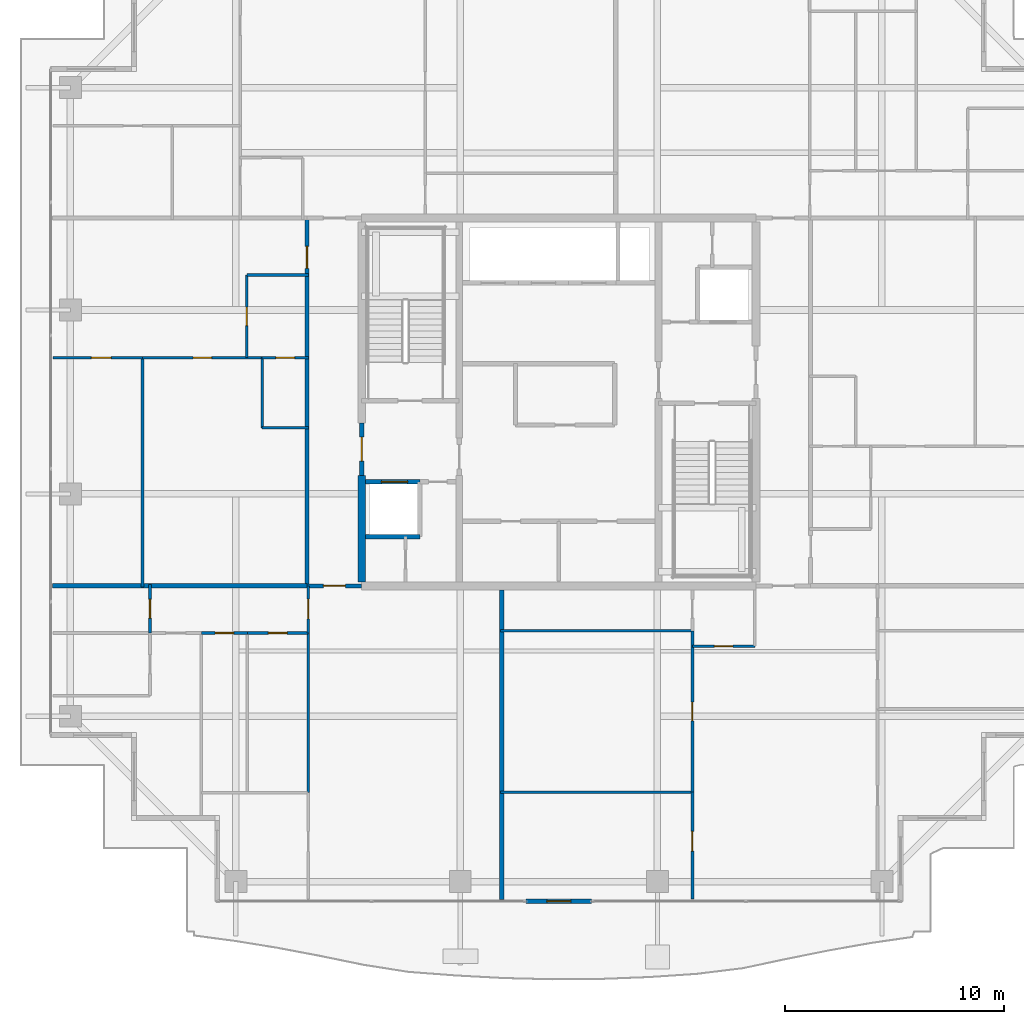
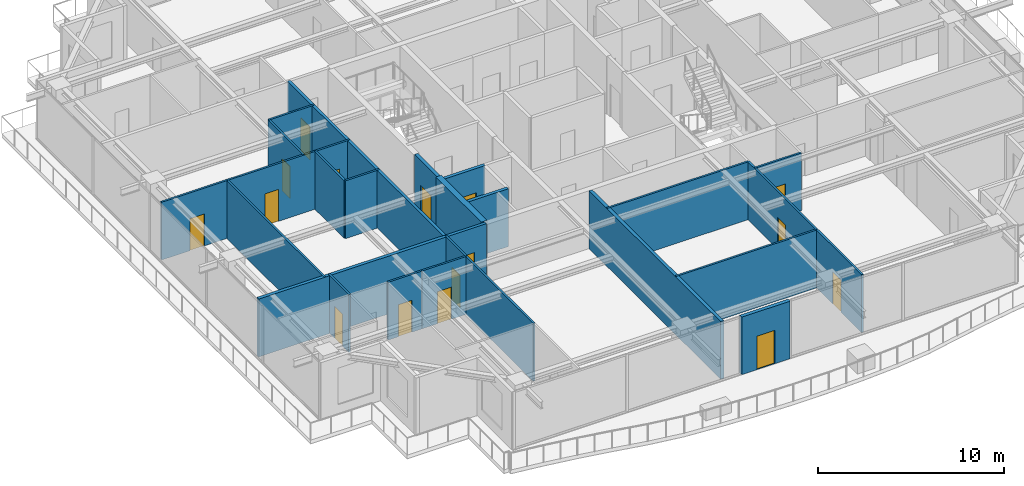
# One storey, part 31 of 42: 27 walls, 16 doors, 16 openings.
"""IFC4 building model written with IfcOpenShell, lengths in metres."""

from ifc_helpers import new_model, si_unit, direction, frame, frame_2d, origin, place, context, subcontext, project, spatial, rectangle, extrude, source, transform, mapped, material, layer, layer_set, type_object, element, fill, save


model = new_model("IFC4")

# Units and contexts
model_context = context("Model", 3, precision=1e-05, world=origin(), true_north=direction((0.0, 1.0)))
body_context = subcontext(model_context, "Body", "Model", "MODEL_VIEW")
ifc_project = project(units=[si_unit("LENGTHUNIT", "METRE"), si_unit("AREAUNIT", "SQUARE_METRE"), si_unit("VOLUMEUNIT", "CUBIC_METRE"), si_unit("PLANEANGLEUNIT", "RADIAN"), si_unit("MASSUNIT", "GRAM", prefix="KILO")], contexts=[model_context])

# Site, building, storey
site_placement = place(None, origin())
site = spatial("IfcSite", under=ifc_project, at=site_placement, CompositionType="ELEMENT")
building_placement = place(site_placement, origin())
building = spatial("IfcBuilding", under=site, at=building_placement, Name="Serunith Strait Residences", CompositionType="ELEMENT")
storey_placement = place(building_placement, frame((0.0, 0.0, 297.5)))
storey = spatial("IfcBuildingStorey", under=building, at=storey_placement, Name="L74", CompositionType="ELEMENT", Elevation=297.5)

# Wall, opening, door
ifc_material_1 = material(Name="Pale-Champagne Aluminium Insulated Panel", Category="aluminium")
ifc_layer_1 = layer(ifc_material_1, 0.219970703125, Name="Pale-Champagne Aluminium Insulated Panel")
ifc_layer_set_1 = layer_set([ifc_layer_1], Name="Pale-Champagne Aluminium Insulated Panel")
wall_type_1 = type_object("IfcWallType", Name="EW-ALUM-220", PredefinedType="ELEMENTEDWALL", material=ifc_layer_set_1)
wall_1_placement = place(storey_placement, frame((30.89990234375, 2.39990234375, 0.0), z_axis=(0.0, 0.0, 1.0), x_axis=(1.0, 0.0, 0.0)))
wall_1 = element("IfcWall", 1, at=wall_1_placement, inside=storey, type_object=wall_type_1, Name="L74 S Facade Pier Wall", PredefinedType="ELEMENTEDWALL", context=body_context, shape_type="SweptSolid", body=[
    extrude(rectangle(XDim=3.0, YDim=0.219970703125, at=frame_2d((1.5, 0.0))), origin(), (0.0, 0.0, 1.0), 3.77490234375),
])
opening_1_placement = place(wall_1_placement, frame((0.949951171875, 0.0, 0.0)))
opening_1 = element("IfcOpeningElement", 2, at=opening_1_placement, cuts=wall_1, Name="Opening ED-03", PredefinedType="OPENING", context=body_context, shape_type="SweptSolid", body=[
    extrude(rectangle(XDim=1.10009765625, YDim=2.199951171875, at=frame_2d((0.550048828125, 1.10009765625))), frame((0.0, 0.1201171875, 0.0), z_axis=(0.0, -1.0, 0.0), x_axis=(1.0, 0.0, 0.0)), (0.0, 0.0, 1.0), 0.239990234375),
])
ifc_material_2 = material(Name="Thermally-Broken Aluminium Glazed Balcony Door", Category="aluminium")
door_type_1 = type_object("IfcDoorType", Name="ED-BALC-1100", OperationType="NOTDEFINED", PredefinedType="DOOR", material=ifc_material_2)
shared_shape_1 = source(origin(), body_context, "Body", "SweptSolid", [
    extrude(rectangle(XDim=1.10009765625, YDim=2.199951171875, at=frame_2d((0.550048828125, 1.10009765625))), frame((0.0, 0.02490234375, 0.0), z_axis=(0.0, -1.0, 0.0), x_axis=(1.0, 0.0, 0.0)), (0.0, 0.0, 1.0), 0.050048828125),
])
door_1_placement = place(opening_1_placement, origin())
door_1 = element("IfcDoor", 3, at=door_1_placement, inside=storey, type_object=door_type_1, Name="L74 S Vertical-Forest Balcony Door", OperationType="SINGLE_SWING_LEFT", OverallHeight=2.199951171875, OverallWidth=1.10009765625, PredefinedType="DOOR", context=body_context, shape_type="MappedRepresentation", body=[
    mapped(shared_shape_1, transform((0.0, 0.0, 0.0), scale=1.0)),
])
fill(opening_1, door_1)

ifc_material_3 = material(Name="Fire-rated acoustic gypsum partition")
ifc_layer_2 = layer(ifc_material_3, 0.179931640625, Name="Fire-rated acoustic gypsum partition")
ifc_layer_set_2 = layer_set([ifc_layer_2], Name="Fire-rated acoustic gypsum partition")
wall_type_2 = type_object("IfcWallType", Name="IW-CORR-180", PredefinedType="PARTITIONING", material=ifc_layer_set_2)
wall_2_placement = place(storey_placement, frame((20.902099609375, 16.800048828125, 0.0), z_axis=(0.0, 0.0, 1.0), x_axis=(1.0, 0.0, 0.0)))
wall_2 = element("IfcWall", 4, at=wall_2_placement, inside=storey, type_object=wall_type_2, Name="L74 Partition Wall 026", PredefinedType="PARTITIONING", context=body_context, shape_type="SweptSolid", body=[
    extrude(rectangle(XDim=2.495849609375, YDim=0.179931640625, at=frame_2d((1.248046875, 0.0))), origin(), (0.0, 0.0, 1.0), 3.7900390625),
])
opening_2_placement = place(wall_2_placement, frame((0.748046875, 0.0, 0.0)))
opening_2 = element("IfcOpeningElement", 5, at=opening_2_placement, cuts=wall_2, Name="Opening D-APT1000", PredefinedType="OPENING", context=body_context, shape_type="SweptSolid", body=[
    extrude(rectangle(XDim=1.0, YDim=2.14990234375, at=frame_2d((0.5, 1.074951171875))), frame((0.0, 0.10009765625, 0.0), z_axis=(0.0, -1.0, 0.0), x_axis=(1.0, 0.0, 0.0)), (0.0, 0.0, 1.0), 0.199951171875),
])
ifc_material_4 = material(Name="Solid timber engineered fire door", Category="wood")
door_type_2 = type_object("IfcDoorType", Name="ID-APT-1000", OperationType="NOTDEFINED", PredefinedType="DOOR", material=ifc_material_4)
shared_shape_2 = source(origin(), body_context, "Body", "SweptSolid", [
    extrude(rectangle(XDim=1.0, YDim=2.14990234375, at=frame_2d((0.5, 1.074951171875))), frame((0.0, 0.02490234375, 0.0), z_axis=(0.0, -1.0, 0.0), x_axis=(1.0, 0.0, 0.0)), (0.0, 0.0, 1.0), 0.050048828125),
])
door_2_placement = place(opening_2_placement, origin())
door_2 = element("IfcDoor", 6, at=door_2_placement, inside=storey, type_object=door_type_2, Name="L74 Unit 01 Entrance Door", OperationType="SINGLE_SWING_RIGHT", OverallHeight=2.14990234375, OverallWidth=1.0, PredefinedType="DOOR", context=body_context, shape_type="MappedRepresentation", body=[
    mapped(shared_shape_2, transform((0.0, 0.0, 0.0), scale=1.0)),
])
fill(opening_2, door_2)

wall_3_placement = place(storey_placement, frame((20.89990234375, 16.800048828125, 0.0), z_axis=(0.0, 0.0, 1.0), x_axis=(0.0, 1.0, 0.0)))
wall_3 = element("IfcWall", 7, at=wall_3_placement, inside=storey, type_object=wall_type_2, Name="L74 Partition Wall 028", PredefinedType="PARTITIONING", context=body_context, shape_type="SweptSolid", body=[
    extrude(rectangle(XDim=16.800048828125, YDim=0.179931640625, at=frame_2d((8.39990234375, 0.0))), origin(), (0.0, 0.0, 1.0), 3.7900390625),
])
opening_3_placement = place(wall_3_placement, frame((14.5, 0.0, 0.0)))
opening_3 = element("IfcOpeningElement", 8, at=opening_3_placement, cuts=wall_3, Name="Opening D-APT1000", PredefinedType="OPENING", context=body_context, shape_type="SweptSolid", body=[
    extrude(rectangle(XDim=1.0, YDim=2.14990234375, at=frame_2d((0.5, 1.074951171875))), frame((0.0, 0.10009765625, 0.0), z_axis=(0.0, -1.0, 0.0), x_axis=(1.0, 0.0, 0.0)), (0.0, 0.0, 1.0), 0.199951171875),
])
door_3_placement = place(opening_3_placement, origin())
door_3 = element("IfcDoor", 9, at=door_3_placement, inside=storey, type_object=door_type_2, Name="L74 Unit 05 Entrance Door", OperationType="SINGLE_SWING_RIGHT", OverallHeight=2.14990234375, OverallWidth=1.0, PredefinedType="DOOR", context=body_context, shape_type="MappedRepresentation", body=[
    mapped(shared_shape_2, transform((0.0, 0.0, 0.0), scale=1.0)),
])
fill(opening_3, door_3)

ifc_material_5 = material(Name="Lightweight steel-stud gypsum partition", Category="steel")
ifc_layer_3 = layer(ifc_material_5, 0.1201171875, Name="Lightweight steel-stud gypsum partition")
ifc_layer_set_3 = layer_set([ifc_layer_3], Name="Lightweight steel-stud gypsum partition")
wall_type_3 = type_object("IfcWallType", Name="IW-PART-120", PredefinedType="PARTITIONING", material=ifc_layer_set_3)
wall_4_placement = place(storey_placement, frame((20.949951171875, 14.64990234375, 0.0), z_axis=(0.0, 0.0, 1.0), x_axis=(0.0, 1.0, 0.0)))
wall_4 = element("IfcWall", 10, at=wall_4_placement, inside=storey, type_object=wall_type_3, Name="L74 Partition Wall 032", PredefinedType="PARTITIONING", context=body_context, shape_type="SweptSolid", body=[
    extrude(rectangle(XDim=2.148193359375, YDim=0.1201171875, at=frame_2d((1.07421875, 0.0))), origin(), (0.0, 0.0, 1.0), 3.7900390625),
])
opening_4_placement = place(wall_4_placement, frame((0.64208984375, 0.0, 0.0)))
opening_4 = element("IfcOpeningElement", 11, at=opening_4_placement, cuts=wall_4, Name="Opening D-RM900", PredefinedType="OPENING", context=body_context, shape_type="SweptSolid", body=[
    extrude(rectangle(XDim=0.89990234375, YDim=2.10009765625, at=frame_2d((0.449951171875, 1.050048828125))), frame((0.0, 0.070068359375, 0.0), z_axis=(0.0, -1.0, 0.0), x_axis=(1.0, 0.0, 0.0)), (0.0, 0.0, 1.0), 0.14013671875),
])
ifc_material_6 = material(Name="Engineered timber flush bedroom door", Category="wood")
door_type_3 = type_object("IfcDoorType", Name="ID-ROOM-900", OperationType="NOTDEFINED", PredefinedType="DOOR", material=ifc_material_6)
shared_shape_3 = source(origin(), body_context, "Body", "SweptSolid", [
    extrude(rectangle(XDim=0.89990234375, YDim=2.10009765625, at=frame_2d((0.449951171875, 1.050048828125))), frame((0.0, 0.02490234375, 0.0), z_axis=(0.0, -1.0, 0.0), x_axis=(1.0, 0.0, 0.0)), (0.0, 0.0, 1.0), 0.050048828125),
])
door_4_placement = place(opening_4_placement, origin())
door_4 = element("IfcDoor", 12, at=door_4_placement, inside=storey, type_object=door_type_3, Name="L74 Hall W 7401 Door", OperationType="SINGLE_SWING_RIGHT", OverallHeight=2.10009765625, OverallWidth=0.89990234375, PredefinedType="DOOR", context=body_context, shape_type="MappedRepresentation", body=[
    mapped(shared_shape_3, transform((0.0, 0.0, 0.0), scale=1.0)),
])
fill(opening_4, door_4)

# Wall
wall_5_placement = place(storey_placement, frame((20.949951171875, 7.364990234375, 0.0), z_axis=(0.0, 0.0, 1.0), x_axis=(0.0, 1.0, 0.0)))
element("IfcWall", 13, at=wall_5_placement, inside=storey, type_object=wall_type_3, Name="L74 Partition Wall 034", PredefinedType="PARTITIONING", context=body_context, shape_type="SweptSolid", body=[
    extrude(rectangle(XDim=7.282958984375, YDim=0.1201171875, at=frame_2d((3.6416015625, 0.0))), origin(), (0.0, 0.0, 1.0), 3.7900390625),
])

# Wall, opening, door
wall_6_placement = place(storey_placement, frame((16.080078125, 14.64990234375, 0.0), z_axis=(0.0, 0.0, 1.0), x_axis=(1.0, 0.0, 0.0)))
wall_6 = element("IfcWall", 14, at=wall_6_placement, inside=storey, type_object=wall_type_3, Name="L74 Partition Wall 038", PredefinedType="PARTITIONING", context=body_context, shape_type="SweptSolid", body=[
    extrude(rectangle(XDim=2.099853515625, YDim=0.1201171875, at=frame_2d((1.0498046875, 0.0))), origin(), (0.0, 0.0, 1.0), 3.7900390625),
])
opening_5_placement = place(wall_6_placement, frame((0.625, 0.0, 0.0)))
opening_5 = element("IfcOpeningElement", 15, at=opening_5_placement, cuts=wall_6, Name="Opening D-BTH850", PredefinedType="OPENING", context=body_context, shape_type="SweptSolid", body=[
    extrude(rectangle(XDim=0.85009765625, YDim=2.10009765625, at=frame_2d((0.425048828125, 1.050048828125))), frame((0.0, 0.070068359375, 0.0), z_axis=(0.0, -1.0, 0.0), x_axis=(1.0, 0.0, 0.0)), (0.0, 0.0, 1.0), 0.14013671875),
])
ifc_material_7 = material(Name="Moisture-resistant timber bathroom door", Category="wood")
door_type_4 = type_object("IfcDoorType", Name="ID-BATH-850", OperationType="NOTDEFINED", PredefinedType="DOOR", material=ifc_material_7)
shared_shape_4 = source(origin(), body_context, "Body", "SweptSolid", [
    extrude(rectangle(XDim=0.85009765625, YDim=2.10009765625, at=frame_2d((0.425048828125, 1.050048828125))), frame((0.0, 0.02490234375, 0.0), z_axis=(0.0, -1.0, 0.0), x_axis=(1.0, 0.0, 0.0)), (0.0, 0.0, 1.0), 0.050048828125),
])
door_5_placement = place(opening_5_placement, origin())
door_5 = element("IfcDoor", 16, at=door_5_placement, inside=storey, type_object=door_type_4, Name="L74 Bathroom 7401 Door", OperationType="SINGLE_SWING_RIGHT", OverallHeight=2.10009765625, OverallWidth=0.85009765625, PredefinedType="DOOR", context=body_context, shape_type="MappedRepresentation", body=[
    mapped(shared_shape_4, transform((0.0, 0.0, 0.0), scale=1.0)),
])
fill(opening_5, door_5)

wall_7_placement = place(storey_placement, frame((18.181884765625, 14.64990234375, 0.0), z_axis=(0.0, 0.0, 1.0), x_axis=(1.0, 0.0, 0.0)))
wall_7 = element("IfcWall", 17, at=wall_7_placement, inside=storey, type_object=wall_type_3, Name="L74 Partition Wall 039", PredefinedType="PARTITIONING", context=body_context, shape_type="SweptSolid", body=[
    extrude(rectangle(XDim=2.76806640625, YDim=0.1201171875, at=frame_2d((1.384033203125, 0.0))), origin(), (0.0, 0.0, 1.0), 3.7900390625),
])
opening_6_placement = place(wall_7_placement, frame((0.958984375, 0.0, 0.0)))
opening_6 = element("IfcOpeningElement", 18, at=opening_6_placement, cuts=wall_7, Name="Opening D-RM850", PredefinedType="OPENING", context=body_context, shape_type="SweptSolid", body=[
    extrude(rectangle(XDim=0.85009765625, YDim=2.10009765625, at=frame_2d((0.425048828125, 1.050048828125))), frame((0.0, 0.070068359375, 0.0), z_axis=(0.0, -1.0, 0.0), x_axis=(1.0, 0.0, 0.0)), (0.0, 0.0, 1.0), 0.14013671875),
])
ifc_material_8 = material(Name="Engineered timber flush study and kitchen door", Category="wood")
door_type_5 = type_object("IfcDoorType", Name="ID-ROOM-850", OperationType="NOTDEFINED", PredefinedType="DOOR", material=ifc_material_8)
door_6_placement = place(opening_6_placement, origin())
door_6 = element("IfcDoor", 19, at=door_6_placement, inside=storey, type_object=door_type_5, Name="L74 Kitchen 7401 Door", OperationType="SINGLE_SWING_LEFT", OverallHeight=2.10009765625, OverallWidth=0.85009765625, PredefinedType="DOOR", context=body_context, shape_type="MappedRepresentation", body=[
    mapped(shared_shape_4, transform((0.0, 0.0, 0.0), scale=1.0)),
])
fill(opening_6, door_6)

wall_8_placement = place(storey_placement, frame((13.72998046875, 14.652099609375, 0.0), z_axis=(0.0, 0.0, 1.0), x_axis=(0.0, 1.0, 0.0)))
wall_8 = element("IfcWall", 20, at=wall_8_placement, inside=storey, type_object=wall_type_3, Name="L74 Partition Wall 044", PredefinedType="PARTITIONING", context=body_context, shape_type="SweptSolid", body=[
    extrude(rectangle(XDim=2.2080078125, YDim=0.1201171875, at=frame_2d((1.10400390625, 0.0))), origin(), (0.0, 0.0, 1.0), 3.7900390625),
])
opening_7_placement = place(wall_8_placement, frame((0.678955078125, 0.0, 0.0)))
opening_7 = element("IfcOpeningElement", 21, at=opening_7_placement, cuts=wall_8, Name="Opening D-RM850", PredefinedType="OPENING", context=body_context, shape_type="SweptSolid", body=[
    extrude(rectangle(XDim=0.85009765625, YDim=2.10009765625, at=frame_2d((0.425048828125, 1.050048828125))), frame((0.0, 0.070068359375, 0.0), z_axis=(0.0, -1.0, 0.0), x_axis=(1.0, 0.0, 0.0)), (0.0, 0.0, 1.0), 0.14013671875),
])
door_7_placement = place(opening_7_placement, origin())
door_7 = element("IfcDoor", 22, at=door_7_placement, inside=storey, type_object=door_type_5, Name="L74 Wardrobe W 7401 Door", OperationType="SINGLE_SWING_RIGHT", OverallHeight=2.10009765625, OverallWidth=0.85009765625, PredefinedType="DOOR", context=body_context, shape_type="MappedRepresentation", body=[
    mapped(shared_shape_4, transform((0.0, 0.0, 0.0), scale=1.0)),
])
fill(opening_7, door_7)

wall_9_placement = place(storey_placement, frame((38.5, 14.050048828125, 0.0), z_axis=(0.0, 0.0, 1.0), x_axis=(1.0, 0.0, 0.0)))
wall_9 = element("IfcWall", 23, at=wall_9_placement, inside=storey, type_object=wall_type_3, Name="L74 Partition Wall 045", PredefinedType="PARTITIONING", context=body_context, shape_type="SweptSolid", body=[
    extrude(rectangle(XDim=2.85009765625, YDim=0.1201171875, at=frame_2d((1.425048828125, 0.0))), origin(), (0.0, 0.0, 1.0), 3.7900390625),
])
opening_8_placement = place(wall_9_placement, frame((1.0, 0.0, 0.0)))
opening_8 = element("IfcOpeningElement", 24, at=opening_8_placement, cuts=wall_9, Name="Opening D-RM850", PredefinedType="OPENING", context=body_context, shape_type="SweptSolid", body=[
    extrude(rectangle(XDim=0.85009765625, YDim=2.10009765625, at=frame_2d((0.425048828125, 1.050048828125))), frame((0.0, 0.070068359375, 0.0), z_axis=(0.0, -1.0, 0.0), x_axis=(1.0, 0.0, 0.0)), (0.0, 0.0, 1.0), 0.14013671875),
])
door_8_placement = place(opening_8_placement, origin())
door_8 = element("IfcDoor", 25, at=door_8_placement, inside=storey, type_object=door_type_5, Name="L74 Kitchen 7402 Door", OperationType="SINGLE_SWING_LEFT", OverallHeight=2.10009765625, OverallWidth=0.85009765625, PredefinedType="DOOR", context=body_context, shape_type="MappedRepresentation", body=[
    mapped(shared_shape_4, transform((0.0, 0.0, 0.0), scale=1.0)),
])
fill(opening_8, door_8)

wall_10_placement = place(storey_placement, frame((38.5, 2.4951171875, 0.0), z_axis=(0.0, 0.0, 1.0), x_axis=(0.0, 1.0, 0.0)))
wall_10 = element("IfcWall", 26, at=wall_10_placement, inside=storey, type_object=wall_type_3, Name="L74 Partition Wall 047", PredefinedType="PARTITIONING", context=body_context, shape_type="SweptSolid", body=[
    extrude(rectangle(XDim=4.890869140625, YDim=0.1201171875, at=frame_2d((2.4453125, 0.0))), origin(), (0.0, 0.0, 1.0), 3.7900390625),
])
opening_9_placement = place(wall_10_placement, frame((2.195068359375, 0.0, 0.0)))
opening_9 = element("IfcOpeningElement", 27, at=opening_9_placement, cuts=wall_10, Name="Opening D-RM900", PredefinedType="OPENING", context=body_context, shape_type="SweptSolid", body=[
    extrude(rectangle(XDim=0.89990234375, YDim=2.10009765625, at=frame_2d((0.449951171875, 1.050048828125))), frame((0.0, 0.070068359375, 0.0), z_axis=(0.0, -1.0, 0.0), x_axis=(1.0, 0.0, 0.0)), (0.0, 0.0, 1.0), 0.14013671875),
])
door_9_placement = place(opening_9_placement, origin())
door_9 = element("IfcDoor", 28, at=door_9_placement, inside=storey, type_object=door_type_3, Name="L74 Master Bedroom 1 7402 Door", OperationType="SINGLE_SWING_RIGHT", OverallHeight=2.10009765625, OverallWidth=0.89990234375, PredefinedType="DOOR", context=body_context, shape_type="MappedRepresentation", body=[
    mapped(shared_shape_3, transform((0.0, 0.0, 0.0), scale=1.0)),
])
fill(opening_9, door_9)

# Walls
for number, where, z_axis, x_axis, name in (
    (29, (29.739990234375, 7.385986328125, 0.0), (0.0, 0.0, 1.0), (1.0, 0.0, 0.0), "L74 Partition Wall 048"),
    (30, (29.739990234375, 14.75, 0.0), (0.0, 0.0, 1.0), (1.0, 0.0, 0.0), "L74 Partition Wall 049"),
):
    element("IfcWall", number, at=place(storey_placement, frame(where, z_axis=z_axis, x_axis=x_axis)), inside=storey, type_object=wall_type_3, Name=name, PredefinedType="PARTITIONING", context=body_context, shape_type="SweptSolid", body=[
        extrude(rectangle(XDim=8.760009765625, YDim=0.1201171875, at=frame_2d((4.3798828125, 0.0))), origin(), (0.0, 0.0, 1.0), 3.7900390625),
    ])

# Wall, opening, door
wall_11_placement = place(storey_placement, frame((38.5, 7.387939453125, 0.0), z_axis=(0.0, 0.0, 1.0), x_axis=(0.0, 1.0, 0.0)))
wall_11 = element("IfcWall", 31, at=wall_11_placement, inside=storey, type_object=wall_type_3, Name="L74 Partition Wall 050", PredefinedType="PARTITIONING", context=body_context, shape_type="SweptSolid", body=[
    extrude(rectangle(XDim=7.362060546875, YDim=0.1201171875, at=frame_2d((3.68115234375, 0.0))), origin(), (0.0, 0.0, 1.0), 3.7900390625),
])
opening_10_placement = place(wall_11_placement, frame((3.256103515625, 0.0, 0.0)))
opening_10 = element("IfcOpeningElement", 32, at=opening_10_placement, cuts=wall_11, Name="Opening D-RM850", PredefinedType="OPENING", context=body_context, shape_type="SweptSolid", body=[
    extrude(rectangle(XDim=0.85009765625, YDim=2.10009765625, at=frame_2d((0.425048828125, 1.050048828125))), frame((0.0, 0.070068359375, 0.0), z_axis=(0.0, -1.0, 0.0), x_axis=(1.0, 0.0, 0.0)), (0.0, 0.0, 1.0), 0.14013671875),
])
door_10_placement = place(opening_10_placement, origin())
door_10 = element("IfcDoor", 33, at=door_10_placement, inside=storey, type_object=door_type_5, Name="L74 Walk-in Wardrobe 7402 Door", OperationType="SINGLE_SWING_LEFT", OverallHeight=2.10009765625, OverallWidth=0.85009765625, PredefinedType="DOOR", context=body_context, shape_type="MappedRepresentation", body=[
    mapped(shared_shape_4, transform((0.0, 0.0, 0.0), scale=1.0)),
])
fill(opening_10, door_10)

wall_12_placement = place(storey_placement, frame((18.14990234375, 27.219970703125, 0.0), z_axis=(0.0, 0.0, 1.0), x_axis=(0.0, 1.0, 0.0)))
wall_12 = element("IfcWall", 34, at=wall_12_placement, inside=storey, type_object=wall_type_3, Name="L74 Partition Wall 082", PredefinedType="PARTITIONING", context=body_context, shape_type="SweptSolid", body=[
    extrude(rectangle(XDim=3.780029296875, YDim=0.1201171875, at=frame_2d((1.89013671875, 0.0))), origin(), (0.0, 0.0, 1.0), 3.7900390625),
])
opening_11_placement = place(wall_12_placement, frame((1.465087890625, 0.0, 0.0)))
opening_11 = element("IfcOpeningElement", 35, at=opening_11_placement, cuts=wall_12, Name="Opening D-RM850", PredefinedType="OPENING", context=body_context, shape_type="SweptSolid", body=[
    extrude(rectangle(XDim=0.85009765625, YDim=2.10009765625, at=frame_2d((0.425048828125, 1.050048828125))), frame((0.0, 0.070068359375, 0.0), z_axis=(0.0, -1.0, 0.0), x_axis=(1.0, 0.0, 0.0)), (0.0, 0.0, 1.0), 0.14013671875),
])
door_11_placement = place(opening_11_placement, origin())
door_11 = element("IfcDoor", 36, at=door_11_placement, inside=storey, type_object=door_type_5, Name="L74 Kitchen 7405 Door", OperationType="SINGLE_SWING_RIGHT", OverallHeight=2.10009765625, OverallWidth=0.85009765625, PredefinedType="DOOR", context=body_context, shape_type="MappedRepresentation", body=[
    mapped(shared_shape_4, transform((0.0, 0.0, 0.0), scale=1.0)),
])
fill(opening_11, door_11)

# Wall
wall_13_placement = place(storey_placement, frame((18.14990234375, 31.0, 0.0), z_axis=(0.0, 0.0, 1.0), x_axis=(1.0, 0.0, 0.0)))
element("IfcWall", 37, at=wall_13_placement, inside=storey, type_object=wall_type_3, Name="L74 Partition Wall 083", PredefinedType="PARTITIONING", context=body_context, shape_type="SweptSolid", body=[
    extrude(rectangle(XDim=2.81005859375, YDim=0.1201171875, at=frame_2d((1.405029296875, 0.0))), origin(), (0.0, 0.0, 1.0), 3.7900390625),
])

# Wall, opening, door
wall_14_placement = place(storey_placement, frame((9.294921875, 27.219970703125, 0.0), z_axis=(0.0, 0.0, 1.0), x_axis=(1.0, 0.0, 0.0)))
wall_14 = element("IfcWall", 38, at=wall_14_placement, inside=storey, type_object=wall_type_3, Name="L74 Partition Wall 084", PredefinedType="PARTITIONING", context=body_context, shape_type="SweptSolid", body=[
    extrude(rectangle(XDim=4.093994140625, YDim=0.1201171875, at=frame_2d((2.046875, 0.0))), origin(), (0.0, 0.0, 1.0), 3.7900390625),
])
opening_12_placement = place(wall_14_placement, frame((1.757080078125, 0.0, 0.0)))
opening_12 = element("IfcOpeningElement", 39, at=opening_12_placement, cuts=wall_14, Name="Opening D-RM900", PredefinedType="OPENING", context=body_context, shape_type="SweptSolid", body=[
    extrude(rectangle(XDim=0.89990234375, YDim=2.10009765625, at=frame_2d((0.449951171875, 1.050048828125))), frame((0.0, 0.070068359375, 0.0), z_axis=(0.0, -1.0, 0.0), x_axis=(1.0, 0.0, 0.0)), (0.0, 0.0, 1.0), 0.14013671875),
])
door_12_placement = place(opening_12_placement, origin())
door_12 = element("IfcDoor", 40, at=door_12_placement, inside=storey, type_object=door_type_3, Name="L74 Master Bedroom 1 7405 Door", OperationType="SINGLE_SWING_LEFT", OverallHeight=2.10009765625, OverallWidth=0.89990234375, PredefinedType="DOOR", context=body_context, shape_type="MappedRepresentation", body=[
    mapped(shared_shape_3, transform((0.0, 0.0, 0.0), scale=1.0)),
])
fill(opening_12, door_12)

# Walls
wall_15_placement = place(storey_placement, frame((13.388916015625, 16.739990234375, 0.0), z_axis=(0.0, 0.0, 1.0), x_axis=(0.0, 1.0, 0.0)))
element("IfcWall", 41, at=wall_15_placement, inside=storey, type_object=wall_type_3, Name="L74 Partition Wall 085", PredefinedType="PARTITIONING", context=body_context, shape_type="SweptSolid", body=[
    extrude(rectangle(XDim=10.47998046875, YDim=0.1201171875, at=frame_2d((5.239990234375, 0.0))), origin(), (0.0, 0.0, 1.0), 3.7900390625),
])
wall_16_placement = place(storey_placement, frame((18.85009765625, 24.02001953125, 0.0), z_axis=(0.0, 0.0, 1.0), x_axis=(0.0, 1.0, 0.0)))
element("IfcWall", 42, at=wall_16_placement, inside=storey, type_object=wall_type_3, Name="L74 Partition Wall 086", PredefinedType="PARTITIONING", context=body_context, shape_type="SweptSolid", body=[
    extrude(rectangle(XDim=3.199951171875, YDim=0.1201171875, at=frame_2d((1.60009765625, 0.0))), origin(), (0.0, 0.0, 1.0), 3.7900390625),
])
wall_17_placement = place(storey_placement, frame((18.85009765625, 24.02001953125, 0.0), z_axis=(0.0, 0.0, 1.0), x_axis=(1.0, 0.0, 0.0)))
element("IfcWall", 43, at=wall_17_placement, inside=storey, type_object=wall_type_3, Name="L74 Partition Wall 087", PredefinedType="PARTITIONING", context=body_context, shape_type="SweptSolid", body=[
    extrude(rectangle(XDim=2.10986328125, YDim=0.1201171875, at=frame_2d((1.054931640625, 0.0))), origin(), (0.0, 0.0, 1.0), 3.7900390625),
])

# Wall, opening, door
wall_18_placement = place(storey_placement, frame((13.39111328125, 27.219970703125, 0.0), z_axis=(0.0, 0.0, 1.0), x_axis=(1.0, 0.0, 0.0)))
wall_18 = element("IfcWall", 44, at=wall_18_placement, inside=storey, type_object=wall_type_3, Name="L74 Partition Wall 088", PredefinedType="PARTITIONING", context=body_context, shape_type="SweptSolid", body=[
    extrude(rectangle(XDim=5.458984375, YDim=0.1201171875, at=frame_2d((2.7294921875, 0.0))), origin(), (0.0, 0.0, 1.0), 3.7900390625),
])
opening_13_placement = place(wall_18_placement, frame((2.304931640625, 0.0, 0.0)))
opening_13 = element("IfcOpeningElement", 45, at=opening_13_placement, cuts=wall_18, Name="Opening D-RM850", PredefinedType="OPENING", context=body_context, shape_type="SweptSolid", body=[
    extrude(rectangle(XDim=0.85009765625, YDim=2.10009765625, at=frame_2d((0.425048828125, 1.050048828125))), frame((0.0, 0.070068359375, 0.0), z_axis=(0.0, -1.0, 0.0), x_axis=(1.0, 0.0, 0.0)), (0.0, 0.0, 1.0), 0.14013671875),
])
door_13_placement = place(opening_13_placement, origin())
door_13 = element("IfcDoor", 46, at=door_13_placement, inside=storey, type_object=door_type_5, Name="L74 Walk-in Wardrobe 7405 Door", OperationType="SINGLE_SWING_RIGHT", OverallHeight=2.10009765625, OverallWidth=0.85009765625, PredefinedType="DOOR", context=body_context, shape_type="MappedRepresentation", body=[
    mapped(shared_shape_4, transform((0.0, 0.0, 0.0), scale=1.0)),
])
fill(opening_13, door_13)

wall_19_placement = place(storey_placement, frame((18.85205078125, 27.219970703125, 0.0), z_axis=(0.0, 0.0, 1.0), x_axis=(1.0, 0.0, 0.0)))
wall_19 = element("IfcWall", 47, at=wall_19_placement, inside=storey, type_object=wall_type_3, Name="L74 Partition Wall 089", PredefinedType="PARTITIONING", context=body_context, shape_type="SweptSolid", body=[
    extrude(rectangle(XDim=2.10791015625, YDim=0.1201171875, at=frame_2d((1.053955078125, 0.0))), origin(), (0.0, 0.0, 1.0), 3.7900390625),
])
opening_14_placement = place(wall_19_placement, frame((0.62890625, 0.0, 0.0)))
opening_14 = element("IfcOpeningElement", 48, at=opening_14_placement, cuts=wall_19, Name="Opening D-BTH850", PredefinedType="OPENING", context=body_context, shape_type="SweptSolid", body=[
    extrude(rectangle(XDim=0.85009765625, YDim=2.10009765625, at=frame_2d((0.425048828125, 1.050048828125))), frame((0.0, 0.070068359375, 0.0), z_axis=(0.0, -1.0, 0.0), x_axis=(1.0, 0.0, 0.0)), (0.0, 0.0, 1.0), 0.14013671875),
])
door_14_placement = place(opening_14_placement, origin())
door_14 = element("IfcDoor", 49, at=door_14_placement, inside=storey, type_object=door_type_4, Name="L74 Bathroom 7405 Door", OperationType="SINGLE_SWING_LEFT", OverallHeight=2.10009765625, OverallWidth=0.85009765625, PredefinedType="DOOR", context=body_context, shape_type="MappedRepresentation", body=[
    mapped(shared_shape_4, transform((0.0, 0.0, 0.0), scale=1.0)),
])
fill(opening_14, door_14)

# Walls
ifc_material_9 = material(Name="Twin-stud acoustic gypsum board partition")
ifc_layer_4 = layer(ifc_material_9, 0.199951171875, Name="Twin-stud acoustic gypsum board partition")
ifc_layer_set_4 = layer_set([ifc_layer_4], Name="Twin-stud acoustic gypsum board partition")
wall_type_4 = type_object("IfcWallType", Name="IW-PARTY-200", PredefinedType="PARTITIONING", material=ifc_layer_set_4)
wall_20_placement = place(storey_placement, frame((29.800048828125, 2.48193359375, 0.0), z_axis=(0.0, 0.0, 1.0), x_axis=(0.0, 1.0, 0.0)))
element("IfcWall", 50, at=wall_20_placement, inside=storey, type_object=wall_type_4, Name="L74 Partition Wall 020", PredefinedType="PARTITIONING", context=body_context, shape_type="SweptSolid", body=[
    extrude(rectangle(XDim=14.14306640625, YDim=0.199951171875, at=frame_2d((7.071533203125, 0.0))), origin(), (0.0, 0.0, 1.0), 3.7900390625),
])
wall_21_placement = place(storey_placement, frame((9.281982421875, 16.800048828125, 0.0), z_axis=(0.0, 0.0, 1.0), x_axis=(1.0, 0.0, 0.0)))
element("IfcWall", 51, at=wall_21_placement, inside=storey, type_object=wall_type_4, Name="L74 Partition Wall 022", PredefinedType="PARTITIONING", context=body_context, shape_type="SweptSolid", body=[
    extrude(rectangle(XDim=11.617919921875, YDim=0.199951171875, at=frame_2d((5.80908203125, 0.0))), origin(), (0.0, 0.0, 1.0), 3.7900390625),
])

# Wall, opening, door
ifc_material_10 = material(Name="Autoclaved aerated concrete blockwork", Category="masonry")
ifc_layer_5 = layer(ifc_material_10, 0.199951171875, Name="Autoclaved aerated concrete blockwork")
ifc_layer_set_5 = layer_set([ifc_layer_5], Name="Autoclaved aerated concrete blockwork")
wall_type_5 = type_object("IfcWallType", Name="IW-SHAFT-200", PredefinedType="STANDARD", material=ifc_layer_set_5)
wall_22_placement = place(storey_placement, frame((23.574951171875, 21.550048828125, 0.0), z_axis=(0.0, 0.0, 1.0), x_axis=(1.0, 0.0, 0.0)))
wall_22 = element("IfcWall", 52, at=wall_22_placement, inside=storey, type_object=wall_type_5, Name="L74 FL-1 North Shaft Wall", PredefinedType="STANDARD", context=body_context, shape_type="SweptSolid", body=[
    extrude(rectangle(XDim=2.47509765625, YDim=0.199951171875, at=frame_2d((1.237548828125, 0.0))), origin(), (0.0, 0.0, 1.0), 3.7900390625),
])
opening_15_placement = place(wall_22_placement, frame((0.72509765625, 0.0, 0.0)))
opening_15 = element("IfcOpeningElement", 53, at=opening_15_placement, cuts=wall_22, Name="Opening LD-FF1200", PredefinedType="OPENING", context=body_context, shape_type="SweptSolid", body=[
    extrude(rectangle(XDim=1.199951171875, YDim=2.199951171875, at=frame_2d((0.60009765625, 1.10009765625))), frame((0.0, 0.10986328125, 0.0), z_axis=(0.0, -1.0, 0.0), x_axis=(1.0, 0.0, 0.0)), (0.0, 0.0, 1.0), 0.219970703125),
])
ifc_material_11 = material(Name="Brushed stainless steel landing door", Category="steel")
door_type_6 = type_object("IfcDoorType", Name="LD-FF-1200", OperationType="DOUBLE_DOOR_SLIDING", PredefinedType="DOOR", material=ifc_material_11)
shared_shape_5 = source(origin(), body_context, "Body", "SweptSolid", [
    extrude(rectangle(XDim=1.199951171875, YDim=2.199951171875, at=frame_2d((0.60009765625, 1.10009765625))), frame((0.0, 0.02490234375, 0.0), z_axis=(0.0, -1.0, 0.0), x_axis=(1.0, 0.0, 0.0)), (0.0, 0.0, 1.0), 0.050048828125),
])
door_15_placement = place(opening_15_placement, origin())
door_15 = element("IfcDoor", 54, at=door_15_placement, inside=storey, type_object=door_type_6, Name="L74 FL-1 Landing Door", OperationType="DOUBLE_DOOR_SLIDING", OverallHeight=2.199951171875, OverallWidth=1.199951171875, PredefinedType="DOOR", context=body_context, shape_type="MappedRepresentation", body=[
    mapped(shared_shape_5, transform((0.0, 0.0, 0.0), scale=1.0)),
])
fill(opening_15, door_15)

# Wall
wall_23_placement = place(storey_placement, frame((23.574951171875, 19.050048828125, 0.0), z_axis=(0.0, 0.0, 1.0), x_axis=(1.0, 0.0, 0.0)))
element("IfcWall", 55, at=wall_23_placement, inside=storey, type_object=wall_type_5, Name="L74 Partition Wall 002", PredefinedType="STANDARD", context=body_context, shape_type="SweptSolid", body=[
    extrude(rectangle(XDim=2.47509765625, YDim=0.199951171875, at=frame_2d((1.237548828125, 0.0))), origin(), (0.0, 0.0, 1.0), 3.7900390625),
])

# Wall, opening, door
wall_24_placement = place(storey_placement, frame((23.39990234375, 21.85205078125, 0.0), z_axis=(0.0, 0.0, 1.0), x_axis=(0.0, 1.0, 0.0)))
wall_24 = element("IfcWall", 56, at=wall_24_placement, inside=storey, type_object=wall_type_5, Name="L74 Partition Wall 007", PredefinedType="STANDARD", context=body_context, shape_type="SweptSolid", body=[
    extrude(rectangle(XDim=2.39599609375, YDim=0.199951171875, at=frame_2d((1.197998046875, 0.0))), origin(), (0.0, 0.0, 1.0), 3.7900390625),
])
opening_16_placement = place(wall_24_placement, frame((0.64794921875, 0.0, 0.0)))
opening_16 = element("IfcOpeningElement", 57, at=opening_16_placement, cuts=wall_24, Name="Opening FD-FFL", PredefinedType="OPENING", context=body_context, shape_type="SweptSolid", body=[
    extrude(rectangle(XDim=1.10009765625, YDim=2.14990234375, at=frame_2d((0.550048828125, 1.074951171875))), frame((0.0, 0.10986328125, 0.0), z_axis=(0.0, -1.0, 0.0), x_axis=(1.0, 0.0, 0.0)), (0.0, 0.0, 1.0), 0.219970703125),
])
ifc_material_12 = material(Name="Glazed steel smoke-lobby fire door", Category="steel")
door_type_7 = type_object("IfcDoorType", Name="FD-FFL-1100", OperationType="NOTDEFINED", PredefinedType="DOOR", material=ifc_material_12)
shared_shape_6 = source(origin(), body_context, "Body", "SweptSolid", [
    extrude(rectangle(XDim=1.10009765625, YDim=2.14990234375, at=frame_2d((0.550048828125, 1.074951171875))), frame((0.0, 0.02490234375, 0.0), z_axis=(0.0, -1.0, 0.0), x_axis=(1.0, 0.0, 0.0)), (0.0, 0.0, 1.0), 0.050048828125),
])
door_16_placement = place(opening_16_placement, origin())
door_16 = element("IfcDoor", 58, at=door_16_placement, inside=storey, type_object=door_type_7, Name="L74 FFL-1 Corridor Fire Door", OperationType="SINGLE_SWING_LEFT", OverallHeight=2.14990234375, OverallWidth=1.10009765625, PredefinedType="DOOR", context=body_context, shape_type="MappedRepresentation", body=[
    mapped(shared_shape_6, transform((0.0, 0.0, 0.0), scale=1.0)),
])
fill(opening_16, door_16)

# Wall
ifc_material_13 = material(Name="Concrete C60/75", Category="concrete")
ifc_layer_6 = layer(ifc_material_13, 0.35009765625, Name="Concrete C60/75")
ifc_layer_set_6 = layer_set([ifc_layer_6], Name="Concrete C60/75")
wall_type_6 = type_object("IfcWallType", Name="SW-350-C60", PredefinedType="SHEAR", material=ifc_layer_set_6)
wall_25_placement = place(storey_placement, frame((23.39990234375, 16.97509765625, -0.260009765625), z_axis=(0.0, 0.0, 1.0), x_axis=(0.0, 1.0, 0.0)))
element("IfcWall", 59, at=wall_25_placement, inside=storey, type_object=wall_type_6, Name="L74 Core West Shear Wall South Pier", PredefinedType="SHEAR", context=body_context, shape_type="SweptSolid", body=[
    extrude(rectangle(XDim=4.875, YDim=0.35009765625, at=frame_2d((2.4375, 0.0))), origin(), (0.0, 0.0, 1.0), 4.048095703125),
])

save(model, "model.ifc")
